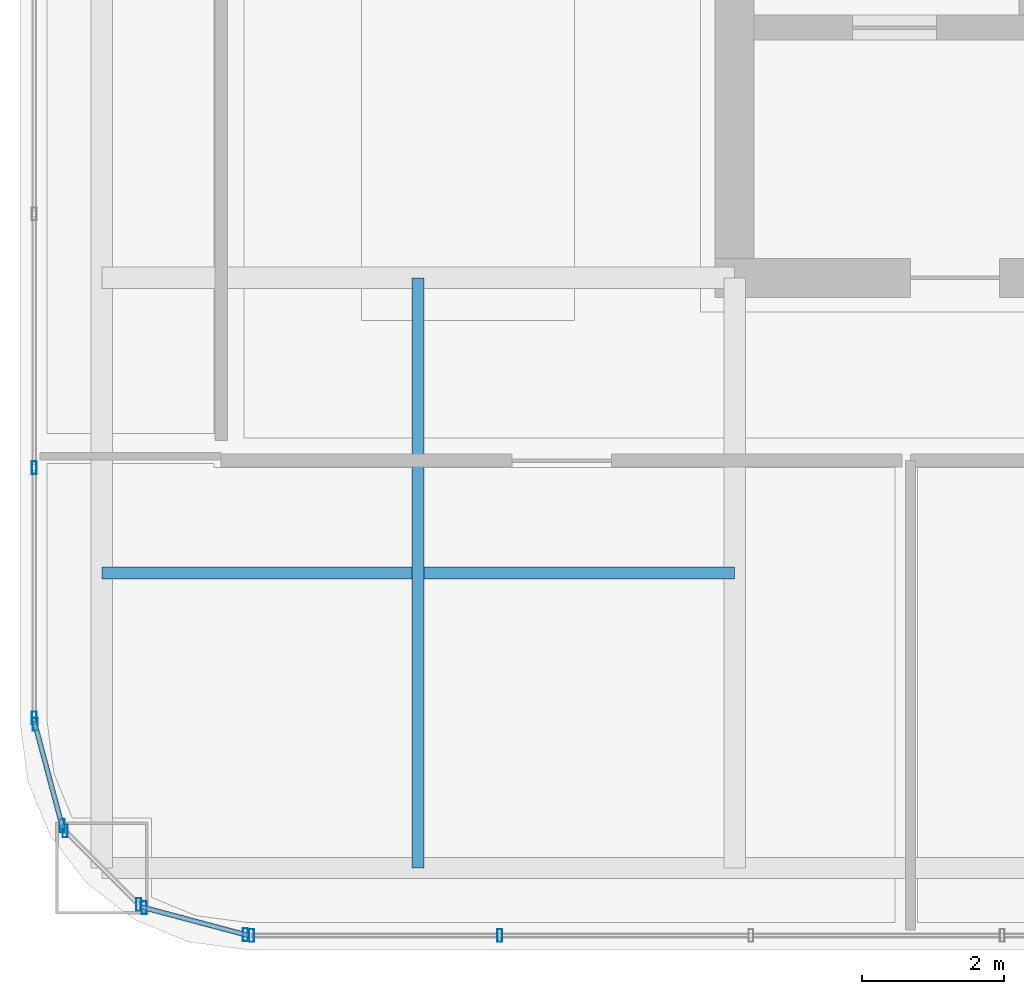
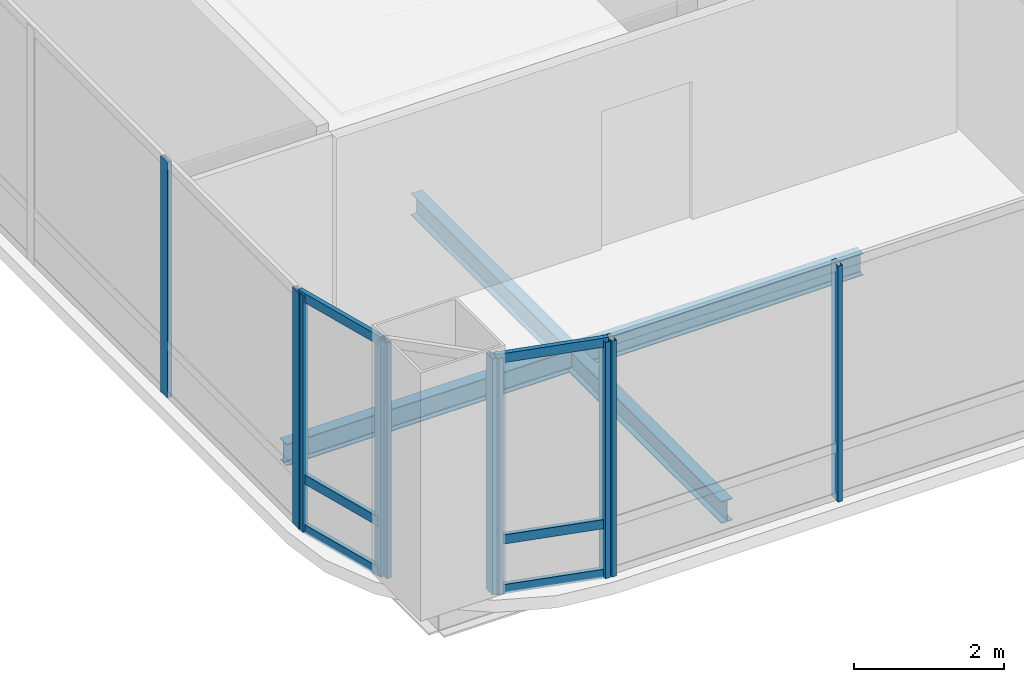
# One storey, part 2 of 42: 16 members, 2 beams, 5 elements without a shape of their own.
"""IFC4 building model written with IfcOpenShell, lengths in metres."""

from ifc_helpers import new_model, si_unit, direction, frame, origin, origin_2d, place, context, subcontext, project, spatial, hollow_rectangle, i_section, extrude, material, material_profile, profile_set, type_object, element, aggregate, save


model = new_model("IFC4")

# Units and contexts
model_context = context("Model", 3, precision=1e-05, world=origin(), true_north=direction((0.0, 1.0)))
body_context = subcontext(model_context, "Body", "Model", "MODEL_VIEW")
ifc_project = project(units=[si_unit("LENGTHUNIT", "METRE"), si_unit("AREAUNIT", "SQUARE_METRE"), si_unit("VOLUMEUNIT", "CUBIC_METRE"), si_unit("PLANEANGLEUNIT", "RADIAN"), si_unit("MASSUNIT", "GRAM", prefix="KILO")], contexts=[model_context])

# Site, building, storey
site_placement = place(None, origin())
site = spatial("IfcSite", under=ifc_project, at=site_placement, CompositionType="ELEMENT")
building_placement = place(site_placement, origin())
building = spatial("IfcBuilding", under=site, at=building_placement, Name="Punatoya Terracotta Tower", CompositionType="ELEMENT")
storey_placement = place(building_placement, frame((0.0, 0.0, 259.5)))
storey = spatial("IfcBuildingStorey", under=building, at=storey_placement, Name="L61", CompositionType="ELEMENT", Elevation=259.5)

# Beams
ifc_material_1 = material(Name="Steel S355", Category="steel")
ifc_material_profile_1 = material_profile(ifc_material_1, i_section(OverallWidth=0.169921875, OverallDepth=0.360107421875, WebThickness=0.008056640625, FlangeThickness=0.0126953125, FilletRadius=0.01806640625, at=origin_2d()))
ifc_profile_set_1 = profile_set([ifc_material_profile_1], Name="Steel S355")
beam_type = type_object("IfcBeamType", Name="BM-SEC-360", PredefinedType="JOIST", material=ifc_profile_set_1)
beam_1_placement = place(storey_placement, frame((-19.10009765625, -13.35009765625, -0.3798828125), z_axis=(1.0, 0.0, 0.0), x_axis=(0.0, 1.0, 0.0)))
element("IfcBeam", 1, at=beam_1_placement, inside=storey, type_object=beam_type, Name="BM-L61-SJS-1", PredefinedType="JOIST", context=body_context, shape_type="SweptSolid", body=[
    extrude(i_section(OverallWidth=0.169921875, OverallDepth=0.360107421875, WebThickness=0.008056640625, FlangeThickness=0.0126953125, FilletRadius=0.01806640625, at=origin_2d()), origin(), (0.0, 0.0, 1.0), 8.900146484375),
])
beam_2_placement = place(storey_placement, frame((-14.64990234375, -17.5, -0.3798828125), z_axis=(0.0, 1.0, 0.0), x_axis=(-1.0, 0.0, 0.0)))
element("IfcBeam", 2, at=beam_2_placement, inside=storey, type_object=beam_type, Name="BM-L61-SJW-1", PredefinedType="JOIST", context=body_context, shape_type="SweptSolid", body=[
    extrude(i_section(OverallWidth=0.169921875, OverallDepth=0.360107421875, WebThickness=0.008056640625, FlangeThickness=0.0126953125, FilletRadius=0.01806640625, at=origin_2d()), origin(), (0.0, 0.0, 1.0), 8.300048828125),
])

# Curtain wall, members
ifc_material_2 = material(Name="Aluminium 6063-T6 + Double Low-E Glass", Category="aluminium")
curtain_wall_type = type_object("IfcCurtainWallType", Name="CW-M3", PredefinedType="NOTDEFINED", material=ifc_material_2)
curtain_wall_1_placement = place(storey_placement, origin())
curtain_wall_1 = element("IfcCurtainWall", 3, at=curtain_wall_1_placement, inside=storey, type_object=curtain_wall_type, Name="L61 Curtain Wall CW-L61-S01-1", PredefinedType="NOTDEFINED")
ifc_material_3 = material(Name="Aluminium 6063-T6", Category="aluminium")
ifc_material_profile_2 = material_profile(ifc_material_3, hollow_rectangle(XDim=0.070068359375, YDim=0.179931640625, WallThickness=0.00390625, at=origin_2d()))
ifc_profile_set_2 = profile_set([ifc_material_profile_2], Name="Aluminium 6063-T6")
member_type_1 = type_object("IfcMemberType", Name="CW-MUL-M3", PredefinedType="MULLION", material=ifc_profile_set_2)
member_1_placement = place(storey_placement, frame((-16.991943359375, -18.449951171875, 0.0), z_axis=(0.0, 0.0, 1.0), x_axis=(1.0, 0.0, 0.0)))
member_1 = element("IfcMember", 4, at=member_1_placement, type_object=member_type_1, Name="CW-L61-S01-1 Mullion 00", PredefinedType="MULLION", context=body_context, shape_type="SweptSolid", body=[
    extrude(hollow_rectangle(XDim=0.070068359375, YDim=0.179931640625, WallThickness=0.00390625, at=origin_2d()), origin(), (0.0, 0.0, 1.0), 3.85009765625),
])
member_2_placement = place(storey_placement, frame((-13.5029296875, -18.449951171875, 0.0), z_axis=(0.0, 0.0, 1.0), x_axis=(1.0, 0.0, 0.0)))
member_2 = element("IfcMember", 5, at=member_2_placement, type_object=member_type_1, Name="CW-L61-S01-1 Mullion 01", PredefinedType="MULLION", context=body_context, shape_type="SweptSolid", body=[
    extrude(hollow_rectangle(XDim=0.070068359375, YDim=0.179931640625, WallThickness=0.00390625, at=origin_2d()), origin(), (0.0, 0.0, 1.0), 3.85009765625),
])
aggregate(curtain_wall_1, [member_1, member_2])

curtain_wall_2_placement = place(storey_placement, origin())
curtain_wall_2 = element("IfcCurtainWall", 6, at=curtain_wall_2_placement, inside=storey, type_object=curtain_wall_type, Name="L61 Curtain Wall CW-L61-W13-1", PredefinedType="NOTDEFINED")
member_3_placement = place(storey_placement, frame((-20.050048828125, -11.869384765625, 0.0), z_axis=(0.0, 0.0, 1.0), x_axis=(1.0, 0.0, 0.0)))
member_3 = element("IfcMember", 7, at=member_3_placement, type_object=member_type_1, Name="CW-L61-W13-1 Mullion 09", PredefinedType="MULLION", context=body_context, shape_type="SweptSolid", body=[
    extrude(hollow_rectangle(XDim=0.070068359375, YDim=0.179931640625, WallThickness=0.00390625, at=origin_2d()), origin(), (0.0, 0.0, 1.0), 3.85009765625),
])
member_4_placement = place(storey_placement, frame((-20.050048828125, -15.391845703125, 0.0), z_axis=(0.0, 0.0, 1.0), x_axis=(1.0, 0.0, 0.0)))
member_4 = element("IfcMember", 8, at=member_4_placement, type_object=member_type_1, Name="CW-L61-W13-1 Mullion 10", PredefinedType="MULLION", context=body_context, shape_type="SweptSolid", body=[
    extrude(hollow_rectangle(XDim=0.070068359375, YDim=0.179931640625, WallThickness=0.00390625, at=origin_2d()), origin(), (0.0, 0.0, 1.0), 3.85009765625),
])
aggregate(curtain_wall_2, [member_3, member_4])

curtain_wall_3_placement = place(storey_placement, origin())
curtain_wall_3 = element("IfcCurtainWall", 9, at=curtain_wall_3_placement, inside=storey, type_object=curtain_wall_type, Name="L61 Curtain Wall CW-L61-CRN14", PredefinedType="NOTDEFINED")
member_5_placement = place(storey_placement, frame((-20.038330078125, -15.48046875, 0.0), z_axis=(0.0, 0.0, 1.0), x_axis=(1.0, 0.0, 0.0)))
member_5 = element("IfcMember", 10, at=member_5_placement, type_object=member_type_1, Name="CW-L61-CRN14 Mullion 00", PredefinedType="MULLION", context=body_context, shape_type="SweptSolid", body=[
    extrude(hollow_rectangle(XDim=0.070068359375, YDim=0.179931640625, WallThickness=0.00390625, at=origin_2d()), origin(), (0.0, 0.0, 1.0), 3.85009765625),
])
member_6_placement = place(storey_placement, frame((-19.658203125, -16.905517578125, 0.0), z_axis=(0.0, 0.0, 1.0), x_axis=(1.0, 0.0, 0.0)))
member_6 = element("IfcMember", 11, at=member_6_placement, type_object=member_type_1, Name="CW-L61-CRN14 Mullion 01", PredefinedType="MULLION", context=body_context, shape_type="SweptSolid", body=[
    extrude(hollow_rectangle(XDim=0.070068359375, YDim=0.179931640625, WallThickness=0.00390625, at=origin_2d()), origin(), (0.0, 0.0, 1.0), 3.85009765625),
])

curtain_wall_4_placement = place(storey_placement, origin())
curtain_wall_4 = element("IfcCurtainWall", 12, at=curtain_wall_4_placement, inside=storey, type_object=curtain_wall_type, Name="L61 Curtain Wall CW-L61-CRN15", PredefinedType="NOTDEFINED")
member_7_placement = place(storey_placement, frame((-19.61474609375, -16.98095703125, 0.0), z_axis=(0.0, 0.0, 1.0), x_axis=(1.0, 0.0, 0.0)))
member_7 = element("IfcMember", 13, at=member_7_placement, type_object=member_type_1, Name="CW-L61-CRN15 Mullion 00", PredefinedType="MULLION", context=body_context, shape_type="SweptSolid", body=[
    extrude(hollow_rectangle(XDim=0.070068359375, YDim=0.179931640625, WallThickness=0.00390625, at=origin_2d()), origin(), (0.0, 0.0, 1.0), 3.85009765625),
])
member_8_placement = place(storey_placement, frame((-18.580810546875, -18.014892578125, 0.0), z_axis=(0.0, 0.0, 1.0), x_axis=(1.0, 0.0, 0.0)))
member_8 = element("IfcMember", 14, at=member_8_placement, type_object=member_type_1, Name="CW-L61-CRN15 Mullion 01", PredefinedType="MULLION", context=body_context, shape_type="SweptSolid", body=[
    extrude(hollow_rectangle(XDim=0.070068359375, YDim=0.179931640625, WallThickness=0.00390625, at=origin_2d()), origin(), (0.0, 0.0, 1.0), 3.85009765625),
])
aggregate(curtain_wall_4, [member_7, member_8])

curtain_wall_5_placement = place(storey_placement, origin())
curtain_wall_5 = element("IfcCurtainWall", 15, at=curtain_wall_5_placement, inside=storey, type_object=curtain_wall_type, Name="L61 Curtain Wall CW-L61-CRN16", PredefinedType="NOTDEFINED")
member_9_placement = place(storey_placement, frame((-18.505615234375, -18.05810546875, 0.0), z_axis=(0.0, 0.0, 1.0), x_axis=(1.0, 0.0, 0.0)))
member_9 = element("IfcMember", 16, at=member_9_placement, type_object=member_type_1, Name="CW-L61-CRN16 Mullion 00", PredefinedType="MULLION", context=body_context, shape_type="SweptSolid", body=[
    extrude(hollow_rectangle(XDim=0.070068359375, YDim=0.179931640625, WallThickness=0.00390625, at=origin_2d()), origin(), (0.0, 0.0, 1.0), 3.85009765625),
])
member_10_placement = place(storey_placement, frame((-17.080322265625, -18.4384765625, 0.0), z_axis=(0.0, 0.0, 1.0), x_axis=(1.0, 0.0, 0.0)))
member_10 = element("IfcMember", 17, at=member_10_placement, type_object=member_type_1, Name="CW-L61-CRN16 Mullion 01", PredefinedType="MULLION", context=body_context, shape_type="SweptSolid", body=[
    extrude(hollow_rectangle(XDim=0.070068359375, YDim=0.179931640625, WallThickness=0.00390625, at=origin_2d()), origin(), (0.0, 0.0, 1.0), 3.85009765625),
])

# Member
ifc_material_profile_3 = material_profile(ifc_material_3, hollow_rectangle(XDim=0.068115234375, YDim=0.14990234375, WallThickness=0.00390625, at=origin_2d()))
ifc_profile_set_3 = profile_set([ifc_material_profile_3], Name="Aluminium 6063-T6")
member_type_2 = type_object("IfcMemberType", Name="CW-TRN-TYP", PredefinedType="USERDEFINED", material=ifc_profile_set_3)
member_11_placement = place(storey_placement, frame((-20.050048828125, -15.43701171875, 0.0400390625), z_axis=(0.257847112249, -0.966185730957, 0.0), x_axis=(0.966185730957, 0.257847112249, 0.0)))
member_11 = element("IfcMember", 18, at=member_11_placement, type_object=member_type_2, Name="CW-L61-CRN14 Transom 1", ObjectType="TRANSOM", PredefinedType="USERDEFINED", context=body_context, shape_type="SweptSolid", body=[
    extrude(hollow_rectangle(XDim=0.068115234375, YDim=0.14990234375, WallThickness=0.00390625, at=origin_2d()), origin(), (0.0, 0.0, 1.0), 1.565185546875),
])

member_12_placement = place(storey_placement, frame((-20.050048828125, -15.43701171875, 0.85009765625), z_axis=(0.257847112249, -0.966185730957, 0.0), x_axis=(0.966185730957, 0.257847112249, 0.0)))
member_12 = element("IfcMember", 19, at=member_12_placement, type_object=member_type_2, Name="CW-L61-CRN14 Transom 2", ObjectType="TRANSOM", PredefinedType="USERDEFINED", context=body_context, shape_type="SweptSolid", body=[
    extrude(hollow_rectangle(XDim=0.068115234375, YDim=0.14990234375, WallThickness=0.00390625, at=origin_2d()), origin(), (0.0, 0.0, 1.0), 1.565185546875),
])

member_13_placement = place(storey_placement, frame((-20.050048828125, -15.43701171875, 3.81005859375), z_axis=(0.257847112249, -0.966185730957, 0.0), x_axis=(0.966185730957, 0.257847112249, 0.0)))
member_13 = element("IfcMember", 20, at=member_13_placement, type_object=member_type_2, Name="CW-L61-CRN14 Transom 3", ObjectType="TRANSOM", PredefinedType="USERDEFINED", context=body_context, shape_type="SweptSolid", body=[
    extrude(hollow_rectangle(XDim=0.068115234375, YDim=0.14990234375, WallThickness=0.00390625, at=origin_2d()), origin(), (0.0, 0.0, 1.0), 1.565185546875),
])

aggregate(curtain_wall_3, [member_5, member_6, member_11, member_12, member_13])

member_14_placement = place(storey_placement, frame((-18.549072265625, -18.046630859375, 0.0400390625), z_axis=(0.966224582397, -0.257701486942, 0.0), x_axis=(0.257701486942, 0.966224582397, 0.0)))
member_14 = element("IfcMember", 21, at=member_14_placement, type_object=member_type_2, Name="CW-L61-CRN16 Transom 1", ObjectType="TRANSOM", PredefinedType="USERDEFINED", context=body_context, shape_type="SweptSolid", body=[
    extrude(hollow_rectangle(XDim=0.068115234375, YDim=0.14990234375, WallThickness=0.00390625, at=origin_2d()), origin(), (0.0, 0.0, 1.0), 1.565185546875),
])

member_15_placement = place(storey_placement, frame((-18.549072265625, -18.046630859375, 0.85009765625), z_axis=(0.966224582397, -0.257701486942, 0.0), x_axis=(0.257701486942, 0.966224582397, 0.0)))
member_15 = element("IfcMember", 22, at=member_15_placement, type_object=member_type_2, Name="CW-L61-CRN16 Transom 2", ObjectType="TRANSOM", PredefinedType="USERDEFINED", context=body_context, shape_type="SweptSolid", body=[
    extrude(hollow_rectangle(XDim=0.068115234375, YDim=0.14990234375, WallThickness=0.00390625, at=origin_2d()), origin(), (0.0, 0.0, 1.0), 1.565185546875),
])

member_16_placement = place(storey_placement, frame((-18.549072265625, -18.046630859375, 3.81005859375), z_axis=(0.966224582397, -0.257701486942, 0.0), x_axis=(0.257701486942, 0.966224582397, 0.0)))
member_16 = element("IfcMember", 23, at=member_16_placement, type_object=member_type_2, Name="CW-L61-CRN16 Transom 3", ObjectType="TRANSOM", PredefinedType="USERDEFINED", context=body_context, shape_type="SweptSolid", body=[
    extrude(hollow_rectangle(XDim=0.068115234375, YDim=0.14990234375, WallThickness=0.00390625, at=origin_2d()), origin(), (0.0, 0.0, 1.0), 1.565185546875),
])

aggregate(curtain_wall_5, [member_9, member_10, member_14, member_15, member_16])

save(model, "model.ifc")
